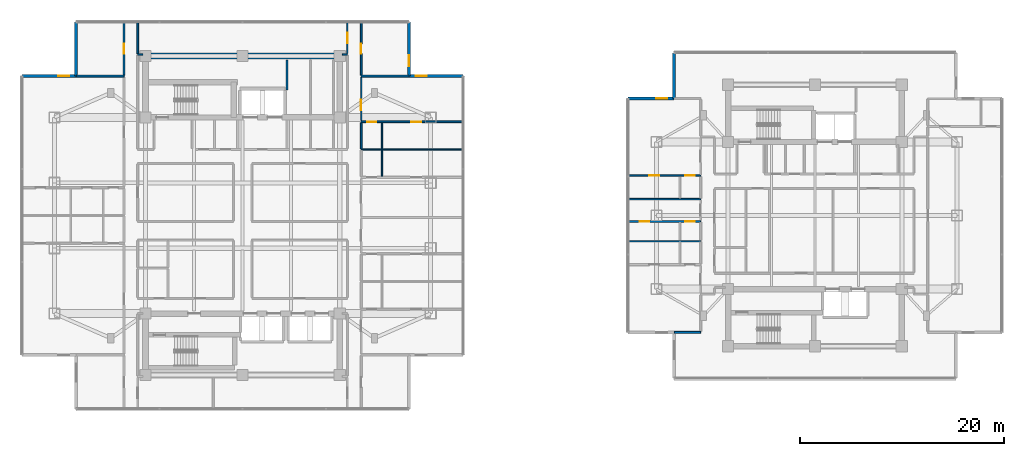
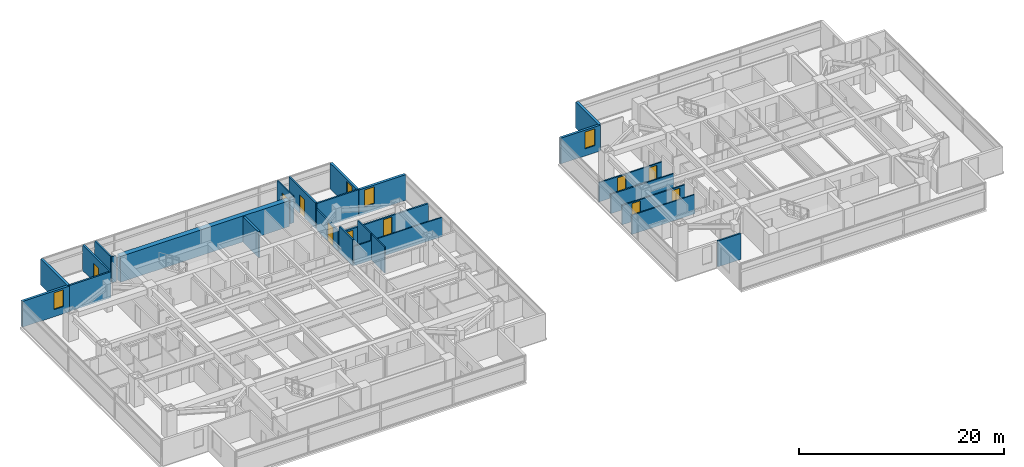
# One storey, part 15 of 24: 27 walls, 10 doors, 4 windows, 14 openings.
"""IFC4 building model written with IfcOpenShell, lengths in metres."""

import ifcopenshell
import ifcopenshell.guid

model = None  # the IFC model being written
_history = None  # IfcOwnerHistory: only IFC2X3 demands one
_inside = {}  # id of a spatial element -> (the spatial element, [elements in it])
_under = {}  # id of a project, library or spatial element -> (it, [spatial elements below it])
_declared = {}  # id of a project -> (the project, [libraries it declares])
_typed = {}  # id of a type object -> (the type object, [elements of that type])
_made_of = {}  # id of a material, layer set ... -> (it, [elements and type objects made of it])


def new_model(schema):
    """Start an empty IFC model of exactly this schema.

    Asked for "IFC4X3", IfcOpenShell would pick the latest addendum, in which some entities
    have other attributes; the version numbers below select the first issue.
    IFC2X3 requires an IfcOwnerHistory on every rooted entity: one is made here for all.
    """
    global model, _history
    if schema == "IFC4X3":
        model = ifcopenshell.file(schema_version=(4, 3, 0, 0))
    else:
        model = ifcopenshell.file(schema=schema)
    _inside.clear()
    _under.clear()
    _declared.clear()
    _typed.clear()
    _made_of.clear()
    _history = None
    if model.schema == "IFC2X3":
        org = make("IfcOrganization", Name="unknown")
        user = make(
            "IfcPersonAndOrganization",
            ThePerson=make("IfcPerson", FamilyName="unknown"),
            TheOrganization=org,
        )
        app = make(
            "IfcApplication",
            ApplicationDeveloper=org,
            Version="unknown",
            ApplicationFullName="unknown",
            ApplicationIdentifier="unknown",
        )
        _history = make(
            "IfcOwnerHistory",
            OwningUser=user,
            OwningApplication=app,
            ChangeAction="ADDED",
            CreationDate=0,
        )
    return model


def make(cls, **values):
    """One entity of the class cls with the attributes given. An attribute that is None is left unset."""
    return model.create_entity(
        cls, **{name: value for name, value in values.items() if value is not None}
    )


def rooted(cls, **values):
    """An entity with a GlobalId (a new one), such as an element, a storey or a relation."""
    return make(cls, GlobalId=ifcopenshell.guid.new(), OwnerHistory=_history, **values)


def si_unit(unit_type, name, prefix=None):
    """IfcSIUnit, for example si_unit("LENGTHUNIT", "METRE", prefix="MILLI")."""
    return make("IfcSIUnit", UnitType=unit_type, Prefix=prefix, Name=name)


def assignment(units):
    """IfcUnitAssignment: the units of a project."""
    return None if units is None else make("IfcUnitAssignment", Units=units)


def point(xyz):
    """IfcCartesianPoint."""
    return None if xyz is None else make("IfcCartesianPoint", Coordinates=xyz)


def direction(xyz):
    """IfcDirection."""
    return None if xyz is None else make("IfcDirection", DirectionRatios=xyz)


def frame(location, z_axis=None, x_axis=None):
    """IfcAxis2Placement3D, a coordinate frame: its origin and axes. An axis left out is left unset."""
    return make(
        "IfcAxis2Placement3D",
        Location=point(location),
        Axis=direction(z_axis),
        RefDirection=direction(x_axis),
    )


def frame_2d(location, x_axis=None):
    """IfcAxis2Placement2D, a coordinate frame in the plane: its origin and x axis."""
    return make(
        "IfcAxis2Placement2D", Location=point(location), RefDirection=direction(x_axis)
    )


def origin():
    """The frame at (0, 0, 0) with its axes left unset."""
    return frame((0.0, 0.0, 0.0))


def place(relative_to, where):
    """IfcLocalPlacement: puts the frame where relative to a parent placement (None: the world)."""
    return make(
        "IfcLocalPlacement", PlacementRelTo=relative_to, RelativePlacement=where
    )


def context(
    kind, dimensions, precision=None, world=None, true_north=None, identifier=None
):
    """IfcGeometricRepresentationContext, for example the 3D "Model" context."""
    return make(
        "IfcGeometricRepresentationContext",
        ContextIdentifier=identifier,
        ContextType=kind,
        CoordinateSpaceDimension=dimensions,
        Precision=precision,
        WorldCoordinateSystem=world,
        TrueNorth=true_north,
    )


def subcontext(parent, identifier, kind, view, scale=None):
    """IfcGeometricRepresentationSubContext, for example "Body" below "Model"."""
    return make(
        "IfcGeometricRepresentationSubContext",
        ContextIdentifier=identifier,
        ContextType=kind,
        ParentContext=parent,
        TargetScale=scale,
        TargetView=view,
    )


def project(units=None, contexts=None):
    """IfcProject with its units and contexts."""
    return rooted(
        "IfcProject",
        Name="project",
        RepresentationContexts=contexts,
        UnitsInContext=assignment(units),
    )


def spatial(cls, under=None, at=None, **own):
    """A site, building, storey or space (cls), placed at a placement, below another one or the project."""
    s = rooted(cls, ObjectPlacement=at, **own)
    if under is not None:
        _under.setdefault(under.id(), (under, []))[1].append(s)
    return s


def profile(cls, at=None, kind="AREA", **sizes):
    """A parametric profile (cls). Its sizes go by their IFC names, for example OverallWidth=200.0."""
    return make(cls, ProfileType=kind, Position=at, **sizes)


def rectangle(**sizes):
    """IfcRectangleProfileDef."""
    return profile("IfcRectangleProfileDef", **sizes)


def extrude(swept, where, along, depth):
    """IfcExtrudedAreaSolid: the profile swept, set in the frame where, extruded along a direction by depth."""
    return make(
        "IfcExtrudedAreaSolid",
        SweptArea=swept,
        Position=where,
        ExtrudedDirection=direction(along),
        Depth=depth,
    )


def shape(context_of_items, identifier, shape_type, items):
    """IfcShapeRepresentation: the items that make up one representation, for example the "Body"."""
    return make(
        "IfcShapeRepresentation",
        ContextOfItems=context_of_items,
        RepresentationIdentifier=identifier,
        RepresentationType=shape_type,
        Items=items,
    )


def material(Name=None, Category=None):
    """IfcMaterial."""
    return make("IfcMaterial", Name=Name, Category=Category)


def layer(
    of_material, thickness, ventilated=None, Name=None, Category=None, Priority=None
):
    """IfcMaterialLayer: one layer of a wall or slab, of a material (None: an air gap)."""
    return make(
        "IfcMaterialLayer",
        Material=of_material,
        LayerThickness=thickness,
        IsVentilated=ventilated,
        Name=Name,
        Category=Category,
        Priority=Priority,
    )


def layer_set(layers, Name=None):
    """IfcMaterialLayerSet."""
    return make("IfcMaterialLayerSet", MaterialLayers=layers, LayerSetName=Name)


def made_of(thing, what):
    """Note that an element or type object is made of a material, layer set ...; save() writes the relation."""
    if what is not None:
        _made_of.setdefault(what.id(), (what, []))[1].append(thing)
    return thing


def type_object(cls, material=None, **own):
    """A type object (cls), such as IfcWallType, which elements share."""
    return made_of(rooted(cls, **own), material)


def element(
    cls,
    number,
    at=None,
    inside=None,
    cuts=None,
    type_object=None,
    material=None,
    context=None,
    identifier="Body",
    shape_type=None,
    held_by="IfcProductDefinitionShape",
    body=None,
    shapes=None,
    **own,
):
    """One element of the class cls, such as IfcWall. Its Tag is "e" and its number.

    at: its placement. inside: the storey or other place that contains it. cuts: it is an
    opening in that element (IfcRelVoidsElement). A single representation is given by context,
    identifier, shape_type and body (its items); several are given by shapes. held_by: the class
    of the entity that holds the representations. save() writes the other relations.
    """
    e = rooted(cls, Tag="e%d" % number, ObjectPlacement=at, **own)
    if body is not None:
        shapes = [shape(context, identifier, shape_type, body)]
    if shapes is not None:
        e.Representation = make(held_by, Representations=shapes)
    if inside is not None:
        _inside.setdefault(inside.id(), (inside, []))[1].append(e)
    if cuts is not None:
        rooted(
            "IfcRelVoidsElement", RelatingBuildingElement=cuts, RelatedOpeningElement=e
        )
    if type_object is not None:
        _typed.setdefault(type_object.id(), (type_object, []))[1].append(e)
    return made_of(e, material)


def fill(opening, filler):
    """IfcRelFillsElement: the door or window that sits in an opening."""
    return rooted(
        "IfcRelFillsElement",
        RelatingOpeningElement=opening,
        RelatedBuildingElement=filler,
    )


def aggregate(whole, parts):
    """IfcRelAggregates: a whole, such as a stair, and the parts it consists of."""
    return rooted("IfcRelAggregates", RelatingObject=whole, RelatedObjects=parts)


def save(model, path):
    """Write the relations noted so far, then the file.

    IfcRelAggregates (storeys below a building ...), IfcRelContainedInSpatialStructure (elements
    in a storey), IfcRelDefinesByType, IfcRelAssociatesMaterial and IfcRelDeclares: one each for
    every whole, place, type object, material and project.
    """
    for whole, parts in _under.values():
        aggregate(whole, parts)
    for where, things in _inside.values():
        rooted(
            "IfcRelContainedInSpatialStructure",
            RelatedElements=things,
            RelatingStructure=where,
        )
    for kind, things in _typed.values():
        rooted("IfcRelDefinesByType", RelatedObjects=things, RelatingType=kind)
    for what, things in _made_of.values():
        rooted("IfcRelAssociatesMaterial", RelatedObjects=things, RelatingMaterial=what)
    for by, libraries in _declared.values():
        rooted("IfcRelDeclares", RelatingContext=by, RelatedDefinitions=libraries)
    model.write(path)


model = new_model("IFC4")

# Units and contexts
model_context = context("Model", 3, precision=1e-05, world=origin(), true_north=direction((0.0, 1.0)))
body_context = subcontext(model_context, "Body", "Model", "MODEL_VIEW")
ifc_project = project(units=[si_unit("LENGTHUNIT", "METRE"), si_unit("AREAUNIT", "SQUARE_METRE"), si_unit("VOLUMEUNIT", "CUBIC_METRE"), si_unit("PLANEANGLEUNIT", "RADIAN"), si_unit("MASSUNIT", "GRAM", prefix="KILO")], contexts=[model_context])

# Site, building, storey
site_placement = place(None, origin())
site = spatial("IfcSite", under=ifc_project, at=site_placement, CompositionType="ELEMENT")
building_placement = place(site_placement, origin())
building = spatial("IfcBuilding", under=site, at=building_placement, Name="Mirazonda Arch Towers", CompositionType="ELEMENT")
storey_placement = place(building_placement, frame((0.0, 0.0, 137.89990234375)))
storey = spatial("IfcBuildingStorey", under=building, at=storey_placement, Name="L39", CompositionType="ELEMENT", Elevation=137.89990234375)

# Wall
ifc_material_1 = material(Name="Concrete C50/60", Category="concrete")
ifc_layer_1 = layer(ifc_material_1, 0.550048828125, Name="WALL-CORE-550")
ifc_layer_set_1 = layer_set([ifc_layer_1], Name="Concrete C50/60")
wall_type_1 = type_object("IfcWallType", Name="WALL-CORE-550", PredefinedType="SHEAR", material=ifc_layer_set_1)
wall_1_placement = place(storey_placement, frame((11.0, 43.60009765625, 0.0), z_axis=(0.0, 0.0, 1.0), x_axis=(1.0, 0.0, 0.0)))
element("IfcWall", 1, at=wall_1_placement, inside=storey, type_object=wall_type_1, Name="L39 T1N-N Core Shear Wall", PredefinedType="SHEAR", context=body_context, shape_type="SweptSolid", body=[
    extrude(rectangle(XDim=19.0, YDim=0.550048828125, at=frame_2d((9.5, 0.0))), origin(), (0.0, 0.0, 1.0), 3.080078125),
])

# Wall, opening, window
ifc_material_2 = material(Name="Precast Concrete C40/50", Category="concrete")
ifc_layer_2 = layer(ifc_material_2, 0.280029296875, Name="WALL-EXT-WALL-280")
ifc_layer_set_2 = layer_set([ifc_layer_2], Name="Precast Concrete C40/50")
wall_type_2 = type_object("IfcWallType", Name="WALL-EXT-WALL-280", PredefinedType="SOLIDWALL", material=ifc_layer_set_2)
wall_2_placement = place(storey_placement, frame((36.7900390625, 41.637939453125, 0.0), z_axis=(0.0, 0.0, 1.0), x_axis=(0.0, 1.0, 0.0)))
wall_2 = element("IfcWall", 2, at=wall_2_placement, inside=storey, type_object=wall_type_2, Name="L39 T1 Notched NE Corner Wall WL-L39-T1-CNE", PredefinedType="SOLIDWALL", context=body_context, shape_type="SweptSolid", body=[
    extrude(rectangle(XDim=5.27001953125, YDim=0.280029296875, at=frame_2d((2.635009765625, 0.0))), origin(), (0.0, 0.0, 1.0), 3.06005859375),
])
opening_1_placement = place(wall_2_placement, frame((0.949951171875, 0.0, 0.85009765625)))
opening_1 = element("IfcOpeningElement", 3, at=opening_1_placement, cuts=wall_2, Name="Opening WN-108", PredefinedType="OPENING", context=body_context, shape_type="SweptSolid", body=[
    extrude(rectangle(XDim=1.10009765625, YDim=2.0, at=frame_2d((0.550048828125, 1.0))), frame((0.0, 0.14990234375, 0.0), z_axis=(0.0, -1.0, 0.0), x_axis=(1.0, 0.0, 0.0)), (0.0, 0.0, 1.0), 0.300048828125),
])
ifc_material_3 = material(Name="Insulated Low-E Solar Glass", Category="glass")
window_type = type_object("IfcWindowType", Name="WIN-NOTCH-1100x2000", PartitioningType="SINGLE_PANEL", PredefinedType="WINDOW", material=ifc_material_3)
window_1_placement = place(opening_1_placement, origin())
window_1 = element("IfcWindow", 4, at=window_1_placement, inside=storey, type_object=window_type, Name="L39 Punched Facade Window WN-L39-T1-CNE", OverallHeight=2.0, OverallWidth=1.10009765625, PartitioningType="SINGLE_PANEL", PredefinedType="WINDOW", context=body_context, shape_type="SweptSolid", body=[
    extrude(rectangle(XDim=1.10009765625, YDim=2.0, at=frame_2d((0.550048828125, 1.0))), frame((0.0, 0.030029296875, 0.0), z_axis=(0.0, -1.0, 0.0), x_axis=(1.0, 0.0, 0.0)), (0.0, 0.0, 1.0), 0.06005859375),
])
fill(opening_1, window_1)

wall_3_placement = place(storey_placement, frame((4.2099609375, 41.637939453125, 0.0), z_axis=(0.0, 0.0, 1.0), x_axis=(-1.0, 0.0, 0.0)))
wall_3 = element("IfcWall", 5, at=wall_3_placement, inside=storey, type_object=wall_type_2, Name="L39 T1 Corner Notch Return Wall WL-L39-T1-CNW1", PredefinedType="SOLIDWALL", context=body_context, shape_type="SweptSolid", body=[
    extrude(rectangle(XDim=5.27001953125, YDim=0.280029296875, at=frame_2d((2.635009765625, 0.0))), origin(), (0.0, 0.0, 1.0), 3.06005859375),
])
opening_2_placement = place(wall_3_placement, frame((0.64990234375, 0.0, 0.85009765625)))
opening_2 = element("IfcOpeningElement", 6, at=opening_2_placement, cuts=wall_3, Name="Opening WN-108", PredefinedType="OPENING", context=body_context, shape_type="SweptSolid", body=[
    extrude(rectangle(XDim=1.10009765625, YDim=2.0, at=frame_2d((0.550048828125, 1.0))), frame((0.0, 0.14990234375, 0.0), z_axis=(0.0, -1.0, 0.0), x_axis=(1.0, 0.0, 0.0)), (0.0, 0.0, 1.0), 0.300048828125),
])
window_2_placement = place(opening_2_placement, origin())
window_2 = element("IfcWindow", 7, at=window_2_placement, inside=storey, type_object=window_type, Name="L39 Punched Facade Window WN-L39-T1-CNW1", OverallHeight=2.0, OverallWidth=1.10009765625, PartitioningType="SINGLE_PANEL", PredefinedType="WINDOW", context=body_context, shape_type="SweptSolid", body=[
    extrude(rectangle(XDim=1.10009765625, YDim=2.0, at=frame_2d((0.550048828125, 1.0))), frame((0.0, 0.030029296875, 0.0), z_axis=(0.0, -1.0, 0.0), x_axis=(1.0, 0.0, 0.0)), (0.0, 0.0, 1.0), 0.06005859375),
])
fill(opening_2, window_2)

# Wall
wall_4_placement = place(storey_placement, frame((4.2099609375, 46.907958984375, 0.0), z_axis=(0.0, 0.0, 1.0), x_axis=(0.0, -1.0, 0.0)))
element("IfcWall", 8, at=wall_4_placement, inside=storey, type_object=wall_type_2, Name="L39 T1 Corner Notch Return Wall WL-L39-T1-CNW2", PredefinedType="SOLIDWALL", context=body_context, shape_type="SweptSolid", body=[
    extrude(rectangle(XDim=5.27001953125, YDim=0.280029296875, at=frame_2d((2.635009765625, 0.0))), origin(), (0.0, 0.0, 1.0), 3.06005859375),
])

# Wall, opening, window
wall_5_placement = place(storey_placement, frame((42.06005859375, 41.637939453125, 0.0), z_axis=(0.0, 0.0, 1.0), x_axis=(-1.0, 0.0, 0.0)))
wall_5 = element("IfcWall", 9, at=wall_5_placement, inside=storey, type_object=wall_type_2, Name="L39 T1 Corner Notch Return Wall WL-L39-T1-CNE2", PredefinedType="SOLIDWALL", context=body_context, shape_type="SweptSolid", body=[
    extrude(rectangle(XDim=5.27001953125, YDim=0.280029296875, at=frame_2d((2.635009765625, 0.0))), origin(), (0.0, 0.0, 1.0), 3.06005859375),
])
opening_3_placement = place(wall_5_placement, frame((3.52001953125, 0.0, 0.85009765625)))
opening_3 = element("IfcOpeningElement", 10, at=opening_3_placement, cuts=wall_5, Name="Opening WN-108", PredefinedType="OPENING", context=body_context, shape_type="SweptSolid", body=[
    extrude(rectangle(XDim=1.10009765625, YDim=2.0, at=frame_2d((0.550048828125, 1.0))), frame((0.0, 0.14990234375, 0.0), z_axis=(0.0, -1.0, 0.0), x_axis=(1.0, 0.0, 0.0)), (0.0, 0.0, 1.0), 0.300048828125),
])
window_3_placement = place(opening_3_placement, origin())
window_3 = element("IfcWindow", 11, at=window_3_placement, inside=storey, type_object=window_type, Name="L39 Punched Facade Window WN-L39-T1-CNE2", OverallHeight=2.0, OverallWidth=1.10009765625, PartitioningType="SINGLE_PANEL", PredefinedType="WINDOW", context=body_context, shape_type="SweptSolid", body=[
    extrude(rectangle(XDim=1.10009765625, YDim=2.0, at=frame_2d((0.550048828125, 1.0))), frame((0.0, 0.030029296875, 0.0), z_axis=(0.0, -1.0, 0.0), x_axis=(1.0, 0.0, 0.0)), (0.0, 0.0, 1.0), 0.06005859375),
])
fill(opening_3, window_3)

wall_6_placement = place(storey_placement, frame((62.71337890625, 39.432373046875, 0.0), z_axis=(0.0, 0.0, 1.0), x_axis=(-1.0, 0.0, 0.0)))
wall_6 = element("IfcWall", 12, at=wall_6_placement, inside=storey, type_object=wall_type_2, Name="L39 T2 Corner Notch Return Wall WL-L39-T2-CNW1", PredefinedType="SOLIDWALL", context=body_context, shape_type="SweptSolid", body=[
    extrude(rectangle(XDim=4.486328125, YDim=0.280029296875, at=frame_2d((2.2431640625, 0.0))), origin(), (0.0, 0.0, 1.0), 3.06005859375),
])
opening_4_placement = place(wall_6_placement, frame((0.64990234375, 0.0, 0.85009765625)))
opening_4 = element("IfcOpeningElement", 13, at=opening_4_placement, cuts=wall_6, Name="Opening WN-108", PredefinedType="OPENING", context=body_context, shape_type="SweptSolid", body=[
    extrude(rectangle(XDim=1.10009765625, YDim=2.0, at=frame_2d((0.550048828125, 1.0))), frame((0.0, 0.14990234375, 0.0), z_axis=(0.0, -1.0, 0.0), x_axis=(1.0, 0.0, 0.0)), (0.0, 0.0, 1.0), 0.300048828125),
])
window_4_placement = place(opening_4_placement, origin())
window_4 = element("IfcWindow", 14, at=window_4_placement, inside=storey, type_object=window_type, Name="L39 Punched Facade Window WN-L39-T2-CNW1", OverallHeight=2.0, OverallWidth=1.10009765625, PartitioningType="SINGLE_PANEL", PredefinedType="WINDOW", context=body_context, shape_type="SweptSolid", body=[
    extrude(rectangle(XDim=1.10009765625, YDim=2.0, at=frame_2d((0.550048828125, 1.0))), frame((0.0, 0.030029296875, 0.0), z_axis=(0.0, -1.0, 0.0), x_axis=(1.0, 0.0, 0.0)), (0.0, 0.0, 1.0), 0.06005859375),
])
fill(opening_4, window_4)

# Walls
wall_7_placement = place(storey_placement, frame((62.71337890625, 43.918701171875, 0.0), z_axis=(0.0, 0.0, 1.0), x_axis=(0.0, -1.0, 0.0)))
element("IfcWall", 15, at=wall_7_placement, inside=storey, type_object=wall_type_2, Name="L39 T2 Corner Notch Return Wall WL-L39-T2-CNW2", PredefinedType="SOLIDWALL", context=body_context, shape_type="SweptSolid", body=[
    extrude(rectangle(XDim=4.486328125, YDim=0.280029296875, at=frame_2d((2.2431640625, 0.0))), origin(), (0.0, 0.0, 1.0), 3.06005859375),
])
ifc_material_4 = material(Name="Concrete C40/50", Category="concrete")
ifc_layer_3 = layer(ifc_material_4, 0.219970703125, Name="WALL-FFL-220")
ifc_layer_set_3 = layer_set([ifc_layer_3], Name="Concrete C40/50")
wall_type_3 = type_object("IfcWallType", Name="WALL-FFL-220", PredefinedType="SOLIDWALL", material=ifc_layer_set_3)
wall_8_placement = place(storey_placement, frame((24.85009765625, 40.260009765625, 0.0), z_axis=(0.0, 0.0, 1.0), x_axis=(0.0, 1.0, 0.0)))
element("IfcWall", 16, at=wall_8_placement, inside=storey, type_object=wall_type_3, Name="L39 Interior Partition 098", PredefinedType="SOLIDWALL", context=body_context, shape_type="SweptSolid", body=[
    extrude(rectangle(XDim=2.93994140625, YDim=0.219970703125, at=frame_2d((1.469970703125, 0.0))), origin(), (0.0, 0.0, 1.0), 3.080078125),
])

# Wall, openings, doors
ifc_material_5 = material(Name="Fire-Rated Gypsum Stud Partition")
ifc_layer_4 = layer(ifc_material_5, 0.14990234375, Name="WALL-PART-CORR-150")
ifc_layer_set_4 = layer_set([ifc_layer_4], Name="Fire-Rated Gypsum Stud Partition")
wall_type_4 = type_object("IfcWallType", Name="WALL-PART-CORR-150", PredefinedType="PARTITIONING", material=ifc_layer_set_4)
wall_9_placement = place(storey_placement, frame((58.22705078125, 27.412109375, 0.0), z_axis=(0.0, 0.0, 1.0), x_axis=(1.0, 0.0, 0.0)))
wall_9 = element("IfcWall", 17, at=wall_9_placement, inside=storey, type_object=wall_type_4, Name="L39 Interior Partition 034", PredefinedType="PARTITIONING", context=body_context, shape_type="SweptSolid", body=[
    extrude(rectangle(XDim=7.093017578125, YDim=0.14990234375, at=frame_2d((3.54638671875, 0.0))), origin(), (0.0, 0.0, 1.0), 2.299072265625),
])
opening_5_placement = place(wall_9_placement, frame((1.12158203125, 0.0, 0.0)))
opening_5 = element("IfcOpeningElement", 18, at=opening_5_placement, cuts=wall_9, Name="Opening DR-104", PredefinedType="OPENING", context=body_context, shape_type="SweptSolid", body=[
    extrude(rectangle(XDim=0.949951171875, YDim=2.14990234375, at=frame_2d((0.47509765625, 1.074951171875))), frame((0.0, 0.0849609375, 0.0), z_axis=(0.0, -1.0, 0.0), x_axis=(1.0, 0.0, 0.0)), (0.0, 0.0, 1.0), 0.169921875),
])
opening_6_placement = place(wall_9_placement, frame((5.60302734375, 0.0, 0.0)))
opening_6 = element("IfcOpeningElement", 19, at=opening_6_placement, cuts=wall_9, Name="Opening DR-120", PredefinedType="OPENING", context=body_context, shape_type="SweptSolid", body=[
    extrude(rectangle(XDim=0.89990234375, YDim=2.10009765625, at=frame_2d((0.449951171875, 1.050048828125))), frame((0.0, 0.0849609375, 0.0), z_axis=(0.0, -1.0, 0.0), x_axis=(1.0, 0.0, 0.0)), (0.0, 0.0, 1.0), 0.169921875),
])
ifc_material_6 = material(Name="Architectural Brushed Steel S355", Category="steel")
door_type_1 = type_object("IfcDoorType", Name="DOOR-ROOM-950", OperationType="NOTDEFINED", PredefinedType="DOOR", material=ifc_material_6)
door_1_placement = place(opening_5_placement, origin())
door_1 = element("IfcDoor", 20, at=door_1_placement, inside=storey, type_object=door_type_1, Name="L39 Guestroom Study 2 Door", OperationType="SINGLE_SWING_LEFT", OverallHeight=2.14990234375, OverallWidth=0.949951171875, PredefinedType="DOOR", context=body_context, shape_type="SweptSolid", body=[
    extrude(rectangle(XDim=0.949951171875, YDim=2.14990234375, at=frame_2d((0.47509765625, 1.074951171875))), frame((0.0, 0.02490234375, 0.0), z_axis=(0.0, -1.0, 0.0), x_axis=(1.0, 0.0, 0.0)), (0.0, 0.0, 1.0), 0.050048828125),
])
fill(opening_5, door_1)
door_type_2 = type_object("IfcDoorType", Name="DOOR-WC-900", OperationType="NOTDEFINED", PredefinedType="DOOR", material=ifc_material_6)
door_2_placement = place(opening_6_placement, origin())
door_2 = element("IfcDoor", 21, at=door_2_placement, inside=storey, type_object=door_type_2, Name="L39 En-Suite Bathroom 2 Door", OperationType="SINGLE_SWING_RIGHT", OverallHeight=2.10009765625, OverallWidth=0.89990234375, PredefinedType="DOOR", context=body_context, shape_type="SweptSolid", body=[
    extrude(rectangle(XDim=0.89990234375, YDim=2.10009765625, at=frame_2d((0.449951171875, 1.050048828125))), frame((0.0, 0.02490234375, 0.0), z_axis=(0.0, -1.0, 0.0), x_axis=(1.0, 0.0, 0.0)), (0.0, 0.0, 1.0), 0.050048828125),
])
fill(opening_6, door_2)

# Wall
wall_10_placement = place(storey_placement, frame((58.22705078125, 29.595947265625, 0.0), z_axis=(0.0, 0.0, 1.0), x_axis=(1.0, 0.0, 0.0)))
element("IfcWall", 22, at=wall_10_placement, inside=storey, type_object=wall_type_4, Name="L39 Interior Partition 037", PredefinedType="PARTITIONING", context=body_context, shape_type="SweptSolid", body=[
    extrude(rectangle(XDim=7.093017578125, YDim=0.14990234375, at=frame_2d((3.54638671875, 0.0))), origin(), (0.0, 0.0, 1.0), 2.299072265625),
])

# Wall, openings, doors
wall_11_placement = place(storey_placement, frame((58.22705078125, 31.89599609375, 0.0), z_axis=(0.0, 0.0, 1.0), x_axis=(1.0, 0.0, 0.0)))
wall_11 = element("IfcWall", 23, at=wall_11_placement, inside=storey, type_object=wall_type_4, Name="L39 Interior Partition 041", PredefinedType="PARTITIONING", context=body_context, shape_type="SweptSolid", body=[
    extrude(rectangle(XDim=7.093017578125, YDim=0.14990234375, at=frame_2d((3.54638671875, 0.0))), origin(), (0.0, 0.0, 1.0), 2.299072265625),
])
opening_7_placement = place(wall_11_placement, frame((2.071533203125, 0.0, 0.0)))
opening_7 = element("IfcOpeningElement", 24, at=opening_7_placement, cuts=wall_11, Name="Opening DR-104", PredefinedType="OPENING", context=body_context, shape_type="SweptSolid", body=[
    extrude(rectangle(XDim=0.949951171875, YDim=2.14990234375, at=frame_2d((0.47509765625, 1.074951171875))), frame((0.0, 0.0849609375, 0.0), z_axis=(0.0, -1.0, 0.0), x_axis=(1.0, 0.0, 0.0)), (0.0, 0.0, 1.0), 0.169921875),
])
opening_8_placement = place(wall_11_placement, frame((5.60302734375, 0.0, 0.0)))
opening_8 = element("IfcOpeningElement", 25, at=opening_8_placement, cuts=wall_11, Name="Opening DR-120", PredefinedType="OPENING", context=body_context, shape_type="SweptSolid", body=[
    extrude(rectangle(XDim=0.89990234375, YDim=2.10009765625, at=frame_2d((0.449951171875, 1.050048828125))), frame((0.0, 0.0849609375, 0.0), z_axis=(0.0, -1.0, 0.0), x_axis=(1.0, 0.0, 0.0)), (0.0, 0.0, 1.0), 0.169921875),
])
door_3_placement = place(opening_7_placement, origin())
door_3 = element("IfcDoor", 26, at=door_3_placement, inside=storey, type_object=door_type_1, Name="L39 Guestroom Study 3 Door", OperationType="SINGLE_SWING_RIGHT", OverallHeight=2.14990234375, OverallWidth=0.949951171875, PredefinedType="DOOR", context=body_context, shape_type="SweptSolid", body=[
    extrude(rectangle(XDim=0.949951171875, YDim=2.14990234375, at=frame_2d((0.47509765625, 1.074951171875))), frame((0.0, 0.02490234375, 0.0), z_axis=(0.0, -1.0, 0.0), x_axis=(1.0, 0.0, 0.0)), (0.0, 0.0, 1.0), 0.050048828125),
])
fill(opening_7, door_3)
door_4_placement = place(opening_8_placement, origin())
door_4 = element("IfcDoor", 27, at=door_4_placement, inside=storey, type_object=door_type_2, Name="L39 En-Suite Bathroom 3 Door", OperationType="SINGLE_SWING_LEFT", OverallHeight=2.10009765625, OverallWidth=0.89990234375, PredefinedType="DOOR", context=body_context, shape_type="SweptSolid", body=[
    extrude(rectangle(XDim=0.89990234375, YDim=2.10009765625, at=frame_2d((0.449951171875, 1.050048828125))), frame((0.0, 0.02490234375, 0.0), z_axis=(0.0, -1.0, 0.0), x_axis=(1.0, 0.0, 0.0)), (0.0, 0.0, 1.0), 0.050048828125),
])
fill(opening_8, door_4)

# Walls
for number, where, z_axis, x_axis, name in (
    (28, (10.239990234375, 43.75, 0.0), (0.0, 0.0, 1.0), (1.0, 0.0, 0.0), "L39 Interior Partition 060"),
    (29, (30.27001953125, 43.75, 0.0), (0.0, 0.0, 1.0), (1.0, 0.0, 0.0), "L39 Interior Partition 061"),
):
    element("IfcWall", number, at=place(storey_placement, frame(where, z_axis=z_axis, x_axis=x_axis)), inside=storey, type_object=wall_type_4, Name=name, PredefinedType="PARTITIONING", context=body_context, shape_type="SweptSolid", body=[
        extrude(rectangle(XDim=0.489990234375, YDim=0.14990234375, at=frame_2d((0.2451171875, 0.0))), origin(), (0.0, 0.0, 1.0), 3.080078125),
    ])
wall_12_placement = place(storey_placement, frame((10.239990234375, 43.8349609375, 0.0), z_axis=(0.0, 0.0, 1.0), x_axis=(0.0, 1.0, 0.0)))
element("IfcWall", 30, at=wall_12_placement, inside=storey, type_object=wall_type_4, Name="L39 Interior Partition 078", PredefinedType="PARTITIONING", context=body_context, shape_type="SweptSolid", body=[
    extrude(rectangle(XDim=3.072998046875, YDim=0.14990234375, at=frame_2d((1.53662109375, 0.0))), origin(), (0.0, 0.0, 1.0), 3.080078125),
])

# Wall, opening, door
wall_13_placement = place(storey_placement, frame((30.760009765625, 43.8349609375, 0.0), z_axis=(0.0, 0.0, 1.0), x_axis=(0.0, 1.0, 0.0)))
wall_13 = element("IfcWall", 31, at=wall_13_placement, inside=storey, type_object=wall_type_4, Name="L39 Interior Partition 109", PredefinedType="PARTITIONING", context=body_context, shape_type="SweptSolid", body=[
    extrude(rectangle(XDim=3.072998046875, YDim=0.14990234375, at=frame_2d((1.53662109375, 0.0))), origin(), (0.0, 0.0, 1.0), 3.080078125),
])
opening_9_placement = place(wall_13_placement, frame((1.011474609375, 0.0, 0.0)))
opening_9 = element("IfcOpeningElement", 32, at=opening_9_placement, cuts=wall_13, Name="Opening DR-121", PredefinedType="OPENING", context=body_context, shape_type="SweptSolid", body=[
    extrude(rectangle(XDim=1.050048828125, YDim=2.199951171875, at=frame_2d((0.52490234375, 1.10009765625))), frame((0.0, 0.0849609375, 0.0), z_axis=(0.0, -1.0, 0.0), x_axis=(1.0, 0.0, 0.0)), (0.0, 0.0, 1.0), 0.169921875),
])
door_type_3 = type_object("IfcDoorType", Name="DOOR-SUITE-FD60-1050", OperationType="NOTDEFINED", PredefinedType="DOOR", material=ifc_material_6)
door_5_placement = place(opening_9_placement, origin())
door_5 = element("IfcDoor", 33, at=door_5_placement, inside=storey, type_object=door_type_3, Name="L39 North Bay Sunroom Suite Door", OperationType="SINGLE_SWING_LEFT", OverallHeight=2.199951171875, OverallWidth=1.050048828125, PredefinedType="DOOR", context=body_context, shape_type="SweptSolid", body=[
    extrude(rectangle(XDim=1.050048828125, YDim=2.199951171875, at=frame_2d((0.52490234375, 1.10009765625))), frame((0.0, 0.02490234375, 0.0), z_axis=(0.0, -1.0, 0.0), x_axis=(1.0, 0.0, 0.0)), (0.0, 0.0, 1.0), 0.050048828125),
])
fill(opening_9, door_5)

# Wall
ifc_material_7 = material(Name="Fire-Rated Gypsum Twin-Stud Assembly")
ifc_layer_5 = layer(ifc_material_7, 0.179931640625, Name="WALL-PART-DEMISE-180")
ifc_layer_set_5 = layer_set([ifc_layer_5], Name="Fire-Rated Gypsum Twin-Stud Assembly")
wall_type_5 = type_object("IfcWallType", Name="WALL-PART-DEMISE-180", PredefinedType="PARTITIONING", material=ifc_layer_set_5)
wall_14_placement = place(storey_placement, frame((62.7333984375, 16.568115234375, 0.0), z_axis=(0.0, 0.0, 1.0), x_axis=(1.0, 0.0, 0.0)))
element("IfcWall", 34, at=wall_14_placement, inside=storey, type_object=wall_type_5, Name="L39 Interior Partition 009", PredefinedType="PARTITIONING", context=body_context, shape_type="SweptSolid", body=[
    extrude(rectangle(XDim=2.586669921875, YDim=0.179931640625, at=frame_2d((1.29345703125, 0.0))), origin(), (0.0, 0.0, 1.0), 3.080078125),
])

# Wall, openings, doors
wall_15_placement = place(storey_placement, frame((32.10009765625, 37.172119140625, 0.0), z_axis=(0.0, 0.0, 1.0), x_axis=(1.0, 0.0, 0.0)))
wall_15 = element("IfcWall", 35, at=wall_15_placement, inside=storey, type_object=wall_type_5, Name="L39 Interior Partition 052", PredefinedType="PARTITIONING", context=body_context, shape_type="SweptSolid", body=[
    extrude(rectangle(XDim=9.9599609375, YDim=0.179931640625, at=frame_2d((4.97998046875, 0.0))), origin(), (0.0, 0.0, 1.0), 2.299072265625),
])
opening_10_placement = place(wall_15_placement, frame((4.905029296875, 0.0, 0.0)))
opening_10 = element("IfcOpeningElement", 36, at=opening_10_placement, cuts=wall_15, Name="Opening DR-104", PredefinedType="OPENING", context=body_context, shape_type="SweptSolid", body=[
    extrude(rectangle(XDim=0.949951171875, YDim=2.14990234375, at=frame_2d((0.47509765625, 1.074951171875))), frame((0.0, 0.099853515625, 0.0), z_axis=(0.0, -1.0, 0.0), x_axis=(1.0, 0.0, 0.0)), (0.0, 0.0, 1.0), 0.199951171875),
])
opening_11_placement = place(wall_15_placement, frame((0.590087890625, 0.0, 0.0)))
opening_11 = element("IfcOpeningElement", 37, at=opening_11_placement, cuts=wall_15, Name="Opening DR-120", PredefinedType="OPENING", context=body_context, shape_type="SweptSolid", body=[
    extrude(rectangle(XDim=0.89990234375, YDim=2.10009765625, at=frame_2d((0.449951171875, 1.050048828125))), frame((0.0, 0.099853515625, 0.0), z_axis=(0.0, -1.0, 0.0), x_axis=(1.0, 0.0, 0.0)), (0.0, 0.0, 1.0), 0.199951171875),
])
door_6_placement = place(opening_10_placement, origin())
door_6 = element("IfcDoor", 38, at=door_6_placement, inside=storey, type_object=door_type_1, Name="L39 Studio 4 Galley Kitchen Door", OperationType="SINGLE_SWING_LEFT", OverallHeight=2.14990234375, OverallWidth=0.949951171875, PredefinedType="DOOR", context=body_context, shape_type="SweptSolid", body=[
    extrude(rectangle(XDim=0.949951171875, YDim=2.14990234375, at=frame_2d((0.47509765625, 1.074951171875))), frame((0.0, 0.02490234375, 0.0), z_axis=(0.0, -1.0, 0.0), x_axis=(1.0, 0.0, 0.0)), (0.0, 0.0, 1.0), 0.050048828125),
])
fill(opening_10, door_6)
door_7_placement = place(opening_11_placement, origin())
door_7 = element("IfcDoor", 39, at=door_7_placement, inside=storey, type_object=door_type_2, Name="L39 Studio 4 Bathroom Door", OperationType="SINGLE_SWING_RIGHT", OverallHeight=2.10009765625, OverallWidth=0.89990234375, PredefinedType="DOOR", context=body_context, shape_type="SweptSolid", body=[
    extrude(rectangle(XDim=0.89990234375, YDim=2.10009765625, at=frame_2d((0.449951171875, 1.050048828125))), frame((0.0, 0.02490234375, 0.0), z_axis=(0.0, -1.0, 0.0), x_axis=(1.0, 0.0, 0.0)), (0.0, 0.0, 1.0), 0.050048828125),
])
fill(opening_11, door_7)

# Walls
for number, where, z_axis, x_axis, name in (
    (40, (4.22998046875, 41.637939453125, 0.0), (0.0, 0.0, 1.0), (1.0, 0.0, 0.0), "L39 Interior Partition 058"),
    (41, (32.10009765625, 41.637939453125, 0.0), (0.0, 0.0, 1.0), (1.0, 0.0, 0.0), "L39 Interior Partition 059"),
):
    element("IfcWall", number, at=place(storey_placement, frame(where, z_axis=z_axis, x_axis=x_axis)), inside=storey, type_object=wall_type_5, Name=name, PredefinedType="PARTITIONING", context=body_context, shape_type="SweptSolid", body=[
        extrude(rectangle(XDim=4.669921875, YDim=0.179931640625, at=frame_2d((2.3349609375, 0.0))), origin(), (0.0, 0.0, 1.0), 3.080078125),
    ])

# Wall, opening, door
wall_16_placement = place(storey_placement, frame((8.89990234375, 41.738037109375, 0.0), z_axis=(0.0, 0.0, 1.0), x_axis=(0.0, 1.0, 0.0)))
wall_16 = element("IfcWall", 42, at=wall_16_placement, inside=storey, type_object=wall_type_5, Name="L39 Interior Partition 071", PredefinedType="PARTITIONING", context=body_context, shape_type="SweptSolid", body=[
    extrude(rectangle(XDim=5.169921875, YDim=0.179931640625, at=frame_2d((2.5849609375, 0.0))), origin(), (0.0, 0.0, 1.0), 3.080078125),
])
opening_12_placement = place(wall_16_placement, frame((2.110107421875, 0.0, 0.0)))
opening_12 = element("IfcOpeningElement", 43, at=opening_12_placement, cuts=wall_16, Name="Opening DR-104", PredefinedType="OPENING", context=body_context, shape_type="SweptSolid", body=[
    extrude(rectangle(XDim=0.949951171875, YDim=2.14990234375, at=frame_2d((0.47509765625, 1.074951171875))), frame((0.0, 0.099853515625, 0.0), z_axis=(0.0, -1.0, 0.0), x_axis=(1.0, 0.0, 0.0)), (0.0, 0.0, 1.0), 0.199951171875),
])
door_8_placement = place(opening_12_placement, origin())
door_8 = element("IfcDoor", 44, at=door_8_placement, inside=storey, type_object=door_type_1, Name="L39 North Bay Sunroom Alcove West Door", OperationType="SINGLE_SWING_RIGHT", OverallHeight=2.14990234375, OverallWidth=0.949951171875, PredefinedType="DOOR", context=body_context, shape_type="SweptSolid", body=[
    extrude(rectangle(XDim=0.949951171875, YDim=2.14990234375, at=frame_2d((0.47509765625, 1.074951171875))), frame((0.0, 0.02490234375, 0.0), z_axis=(0.0, -1.0, 0.0), x_axis=(1.0, 0.0, 0.0)), (0.0, 0.0, 1.0), 0.050048828125),
])
fill(opening_12, door_8)

# Wall
wall_17_placement = place(storey_placement, frame((32.10009765625, 34.5244140625, 0.0), z_axis=(0.0, 0.0, 1.0), x_axis=(0.0, 1.0, 0.0)))
element("IfcWall", 45, at=wall_17_placement, inside=storey, type_object=wall_type_5, Name="L39 Interior Partition 117", PredefinedType="PARTITIONING", context=body_context, shape_type="SweptSolid", body=[
    extrude(rectangle(XDim=2.547607421875, YDim=0.179931640625, at=frame_2d((1.27392578125, 0.0))), origin(), (0.0, 0.0, 1.0), 3.080078125),
])

# Wall, opening, door
wall_18_placement = place(storey_placement, frame((32.10009765625, 37.27197265625, 0.0), z_axis=(0.0, 0.0, 1.0), x_axis=(0.0, 1.0, 0.0)))
wall_18 = element("IfcWall", 46, at=wall_18_placement, inside=storey, type_object=wall_type_5, Name="L39 Interior Partition 118", PredefinedType="PARTITIONING", context=body_context, shape_type="SweptSolid", body=[
    extrude(rectangle(XDim=4.26611328125, YDim=0.179931640625, at=frame_2d((2.133056640625, 0.0))), origin(), (0.0, 0.0, 1.0), 2.4560546875),
])
opening_13_placement = place(wall_18_placement, frame((1.008056640625, 0.0, 0.0)))
opening_13 = element("IfcOpeningElement", 47, at=opening_13_placement, cuts=wall_18, Name="Opening DR-121", PredefinedType="OPENING", context=body_context, shape_type="SweptSolid", body=[
    extrude(rectangle(XDim=1.050048828125, YDim=2.199951171875, at=frame_2d((0.52490234375, 1.10009765625))), frame((0.0, 0.099853515625, 0.0), z_axis=(0.0, -1.0, 0.0), x_axis=(1.0, 0.0, 0.0)), (0.0, 0.0, 1.0), 0.199951171875),
])
door_9_placement = place(opening_13_placement, origin())
door_9 = element("IfcDoor", 48, at=door_9_placement, inside=storey, type_object=door_type_3, Name="L39 Studio Apartment 4 Living Salon Door", OperationType="SINGLE_SWING_RIGHT", OverallHeight=2.199951171875, OverallWidth=1.050048828125, PredefinedType="DOOR", context=body_context, shape_type="SweptSolid", body=[
    extrude(rectangle(XDim=1.050048828125, YDim=2.199951171875, at=frame_2d((0.52490234375, 1.10009765625))), frame((0.0, 0.02490234375, 0.0), z_axis=(0.0, -1.0, 0.0), x_axis=(1.0, 0.0, 0.0)), (0.0, 0.0, 1.0), 0.050048828125),
])
fill(opening_13, door_9)

wall_19_placement = place(storey_placement, frame((32.10009765625, 41.738037109375, 0.0), z_axis=(0.0, 0.0, 1.0), x_axis=(0.0, 1.0, 0.0)))
wall_19 = element("IfcWall", 49, at=wall_19_placement, inside=storey, type_object=wall_type_5, Name="L39 Interior Partition 119", PredefinedType="PARTITIONING", context=body_context, shape_type="SweptSolid", body=[
    extrude(rectangle(XDim=5.169921875, YDim=0.179931640625, at=frame_2d((2.5849609375, 0.0))), origin(), (0.0, 0.0, 1.0), 3.080078125),
])
opening_14_placement = place(wall_19_placement, frame((2.110107421875, 0.0, 0.0)))
opening_14 = element("IfcOpeningElement", 50, at=opening_14_placement, cuts=wall_19, Name="Opening DR-104", PredefinedType="OPENING", context=body_context, shape_type="SweptSolid", body=[
    extrude(rectangle(XDim=0.949951171875, YDim=2.14990234375, at=frame_2d((0.47509765625, 1.074951171875))), frame((0.0, 0.099853515625, 0.0), z_axis=(0.0, -1.0, 0.0), x_axis=(1.0, 0.0, 0.0)), (0.0, 0.0, 1.0), 0.199951171875),
])
door_10_placement = place(opening_14_placement, origin())
door_10 = element("IfcDoor", 51, at=door_10_placement, inside=storey, type_object=door_type_1, Name="L39 North Bay Sunroom Alcove East Door", OperationType="SINGLE_SWING_LEFT", OverallHeight=2.14990234375, OverallWidth=0.949951171875, PredefinedType="DOOR", context=body_context, shape_type="SweptSolid", body=[
    extrude(rectangle(XDim=0.949951171875, YDim=2.14990234375, at=frame_2d((0.47509765625, 1.074951171875))), frame((0.0, 0.02490234375, 0.0), z_axis=(0.0, -1.0, 0.0), x_axis=(1.0, 0.0, 0.0)), (0.0, 0.0, 1.0), 0.050048828125),
])
fill(opening_14, door_10)

# Walls
ifc_material_8 = material(Name="Acoustic Fire-Rated Gypsum Partition")
ifc_layer_6 = layer(ifc_material_8, 0.125, Name="WALL-PART-UNIT-125")
ifc_layer_set_6 = layer_set([ifc_layer_6], Name="Acoustic Fire-Rated Gypsum Partition")
wall_type_6 = type_object("IfcWallType", Name="WALL-PART-UNIT-125", PredefinedType="PARTITIONING", material=ifc_layer_set_6)
wall_20_placement = place(storey_placement, frame((58.22705078125, 25.491943359375, 0.0), z_axis=(0.0, 0.0, 1.0), x_axis=(1.0, 0.0, 0.0)))
element("IfcWall", 52, at=wall_20_placement, inside=storey, type_object=wall_type_6, Name="L39 Interior Partition 031", PredefinedType="PARTITIONING", context=body_context, shape_type="SweptSolid", body=[
    extrude(rectangle(XDim=7.093017578125, YDim=0.125, at=frame_2d((3.54638671875, 0.0))), origin(), (0.0, 0.0, 1.0), 2.299072265625),
])
wall_21_placement = place(storey_placement, frame((32.10009765625, 34.451904296875, 0.0), z_axis=(0.0, 0.0, 1.0), x_axis=(1.0, 0.0, 0.0)))
element("IfcWall", 53, at=wall_21_placement, inside=storey, type_object=wall_type_6, Name="L39 Interior Partition 048", PredefinedType="PARTITIONING", context=body_context, shape_type="SweptSolid", body=[
    extrude(rectangle(XDim=9.9599609375, YDim=0.125, at=frame_2d((4.97998046875, 0.0))), origin(), (0.0, 0.0, 1.0), 2.299072265625),
])
wall_22_placement = place(storey_placement, frame((34.139892578125, 31.83203125, 0.0), z_axis=(0.0, 0.0, 1.0), x_axis=(0.0, 1.0, 0.0)))
element("IfcWall", 54, at=wall_22_placement, inside=storey, type_object=wall_type_6, Name="L39 Interior Partition 122", PredefinedType="PARTITIONING", context=body_context, shape_type="SweptSolid", body=[
    extrude(rectangle(XDim=2.54736328125, YDim=0.125, at=frame_2d((1.273681640625, 0.0))), origin(), (0.0, 0.0, 1.0), 3.080078125),
])
wall_23_placement = place(storey_placement, frame((34.139892578125, 34.5244140625, 0.0), z_axis=(0.0, 0.0, 1.0), x_axis=(0.0, 1.0, 0.0)))
element("IfcWall", 55, at=wall_23_placement, inside=storey, type_object=wall_type_6, Name="L39 Interior Partition 123", PredefinedType="PARTITIONING", context=body_context, shape_type="SweptSolid", body=[
    extrude(rectangle(XDim=2.547607421875, YDim=0.125, at=frame_2d((1.27392578125, 0.0))), origin(), (0.0, 0.0, 1.0), 3.080078125),
])

save(model, "model.ifc")
